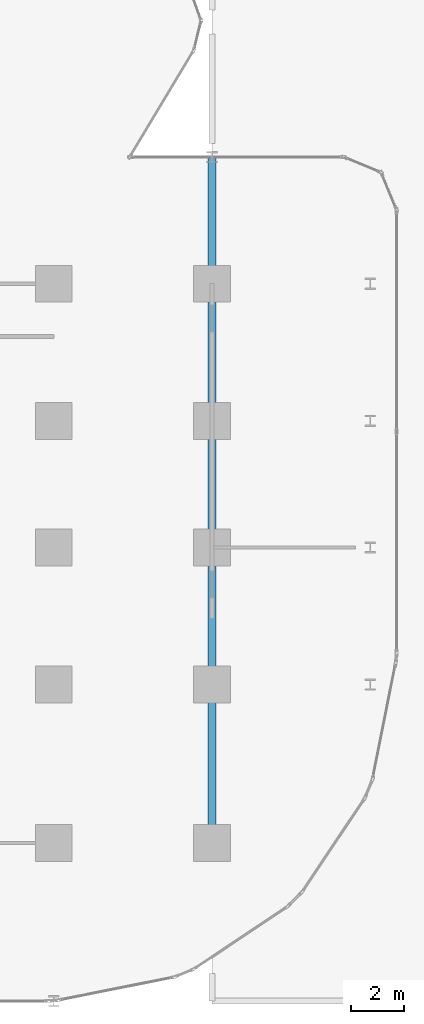
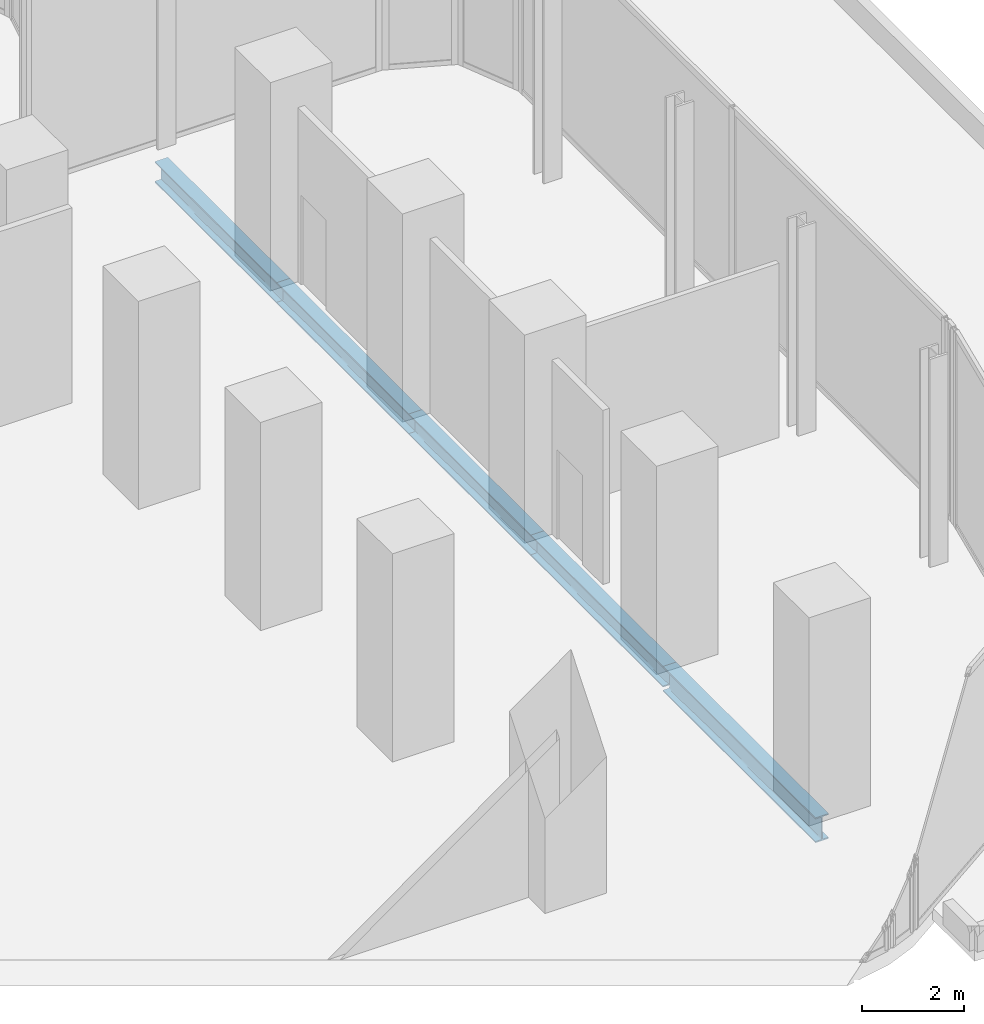
# One storey, part 8 of 29: 5 beams.
"""IFC4 building model written with IfcOpenShell, lengths in metres."""

import ifcopenshell
import ifcopenshell.guid

model = None  # the IFC model being written
_history = None  # IfcOwnerHistory: only IFC2X3 demands one
_inside = {}  # id of a spatial element -> (the spatial element, [elements in it])
_under = {}  # id of a project, library or spatial element -> (it, [spatial elements below it])
_declared = {}  # id of a project -> (the project, [libraries it declares])
_typed = {}  # id of a type object -> (the type object, [elements of that type])
_made_of = {}  # id of a material, layer set ... -> (it, [elements and type objects made of it])


def new_model(schema):
    """Start an empty IFC model of exactly this schema.

    Asked for "IFC4X3", IfcOpenShell would pick the latest addendum, in which some entities
    have other attributes; the version numbers below select the first issue.
    IFC2X3 requires an IfcOwnerHistory on every rooted entity: one is made here for all.
    """
    global model, _history
    if schema == "IFC4X3":
        model = ifcopenshell.file(schema_version=(4, 3, 0, 0))
    else:
        model = ifcopenshell.file(schema=schema)
    _inside.clear()
    _under.clear()
    _declared.clear()
    _typed.clear()
    _made_of.clear()
    _history = None
    if model.schema == "IFC2X3":
        org = make("IfcOrganization", Name="unknown")
        user = make(
            "IfcPersonAndOrganization",
            ThePerson=make("IfcPerson", FamilyName="unknown"),
            TheOrganization=org,
        )
        app = make(
            "IfcApplication",
            ApplicationDeveloper=org,
            Version="unknown",
            ApplicationFullName="unknown",
            ApplicationIdentifier="unknown",
        )
        _history = make(
            "IfcOwnerHistory",
            OwningUser=user,
            OwningApplication=app,
            ChangeAction="ADDED",
            CreationDate=0,
        )
    return model


def make(cls, **values):
    """One entity of the class cls with the attributes given. An attribute that is None is left unset."""
    return model.create_entity(
        cls, **{name: value for name, value in values.items() if value is not None}
    )


def rooted(cls, **values):
    """An entity with a GlobalId (a new one), such as an element, a storey or a relation."""
    return make(cls, GlobalId=ifcopenshell.guid.new(), OwnerHistory=_history, **values)


def si_unit(unit_type, name, prefix=None):
    """IfcSIUnit, for example si_unit("LENGTHUNIT", "METRE", prefix="MILLI")."""
    return make("IfcSIUnit", UnitType=unit_type, Prefix=prefix, Name=name)


def assignment(units):
    """IfcUnitAssignment: the units of a project."""
    return None if units is None else make("IfcUnitAssignment", Units=units)


def point(xyz):
    """IfcCartesianPoint."""
    return None if xyz is None else make("IfcCartesianPoint", Coordinates=xyz)


def direction(xyz):
    """IfcDirection."""
    return None if xyz is None else make("IfcDirection", DirectionRatios=xyz)


def frame(location, z_axis=None, x_axis=None):
    """IfcAxis2Placement3D, a coordinate frame: its origin and axes. An axis left out is left unset."""
    return make(
        "IfcAxis2Placement3D",
        Location=point(location),
        Axis=direction(z_axis),
        RefDirection=direction(x_axis),
    )


def frame_2d(location, x_axis=None):
    """IfcAxis2Placement2D, a coordinate frame in the plane: its origin and x axis."""
    return make(
        "IfcAxis2Placement2D", Location=point(location), RefDirection=direction(x_axis)
    )


def origin():
    """The frame at (0, 0, 0) with its axes left unset."""
    return frame((0.0, 0.0, 0.0))


def origin_2d():
    """The frame at (0, 0) in the plane with its x axis left unset."""
    return frame_2d((0.0, 0.0))


def place(relative_to, where):
    """IfcLocalPlacement: puts the frame where relative to a parent placement (None: the world)."""
    return make(
        "IfcLocalPlacement", PlacementRelTo=relative_to, RelativePlacement=where
    )


def context(
    kind, dimensions, precision=None, world=None, true_north=None, identifier=None
):
    """IfcGeometricRepresentationContext, for example the 3D "Model" context."""
    return make(
        "IfcGeometricRepresentationContext",
        ContextIdentifier=identifier,
        ContextType=kind,
        CoordinateSpaceDimension=dimensions,
        Precision=precision,
        WorldCoordinateSystem=world,
        TrueNorth=true_north,
    )


def subcontext(parent, identifier, kind, view, scale=None):
    """IfcGeometricRepresentationSubContext, for example "Body" below "Model"."""
    return make(
        "IfcGeometricRepresentationSubContext",
        ContextIdentifier=identifier,
        ContextType=kind,
        ParentContext=parent,
        TargetScale=scale,
        TargetView=view,
    )


def project(units=None, contexts=None):
    """IfcProject with its units and contexts."""
    return rooted(
        "IfcProject",
        Name="project",
        RepresentationContexts=contexts,
        UnitsInContext=assignment(units),
    )


def spatial(cls, under=None, at=None, **own):
    """A site, building, storey or space (cls), placed at a placement, below another one or the project."""
    s = rooted(cls, ObjectPlacement=at, **own)
    if under is not None:
        _under.setdefault(under.id(), (under, []))[1].append(s)
    return s


def profile(cls, at=None, kind="AREA", **sizes):
    """A parametric profile (cls). Its sizes go by their IFC names, for example OverallWidth=200.0."""
    return make(cls, ProfileType=kind, Position=at, **sizes)


def i_section(**sizes):
    """IfcIShapeProfileDef."""
    return profile("IfcIShapeProfileDef", **sizes)


def extrude(swept, where, along, depth):
    """IfcExtrudedAreaSolid: the profile swept, set in the frame where, extruded along a direction by depth."""
    return make(
        "IfcExtrudedAreaSolid",
        SweptArea=swept,
        Position=where,
        ExtrudedDirection=direction(along),
        Depth=depth,
    )


def shape(context_of_items, identifier, shape_type, items):
    """IfcShapeRepresentation: the items that make up one representation, for example the "Body"."""
    return make(
        "IfcShapeRepresentation",
        ContextOfItems=context_of_items,
        RepresentationIdentifier=identifier,
        RepresentationType=shape_type,
        Items=items,
    )


def material(Name=None, Category=None):
    """IfcMaterial."""
    return make("IfcMaterial", Name=Name, Category=Category)


def material_profile(
    of_material, cross_section, Name=None, Category=None, Priority=None
):
    """IfcMaterialProfile: a cross section and its material."""
    return make(
        "IfcMaterialProfile",
        Name=Name,
        Material=of_material,
        Profile=cross_section,
        Priority=Priority,
        Category=Category,
    )


def profile_set(profiles, Name=None, composite=None):
    """IfcMaterialProfileSet."""
    return make(
        "IfcMaterialProfileSet",
        Name=Name,
        MaterialProfiles=profiles,
        CompositeProfile=composite,
    )


def made_of(thing, what):
    """Note that an element or type object is made of a material, layer set ...; save() writes the relation."""
    if what is not None:
        _made_of.setdefault(what.id(), (what, []))[1].append(thing)
    return thing


def type_object(cls, material=None, **own):
    """A type object (cls), such as IfcWallType, which elements share."""
    return made_of(rooted(cls, **own), material)


def element(
    cls,
    number,
    at=None,
    inside=None,
    cuts=None,
    type_object=None,
    material=None,
    context=None,
    identifier="Body",
    shape_type=None,
    held_by="IfcProductDefinitionShape",
    body=None,
    shapes=None,
    **own,
):
    """One element of the class cls, such as IfcWall. Its Tag is "e" and its number.

    at: its placement. inside: the storey or other place that contains it. cuts: it is an
    opening in that element (IfcRelVoidsElement). A single representation is given by context,
    identifier, shape_type and body (its items); several are given by shapes. held_by: the class
    of the entity that holds the representations. save() writes the other relations.
    """
    e = rooted(cls, Tag="e%d" % number, ObjectPlacement=at, **own)
    if body is not None:
        shapes = [shape(context, identifier, shape_type, body)]
    if shapes is not None:
        e.Representation = make(held_by, Representations=shapes)
    if inside is not None:
        _inside.setdefault(inside.id(), (inside, []))[1].append(e)
    if cuts is not None:
        rooted(
            "IfcRelVoidsElement", RelatingBuildingElement=cuts, RelatedOpeningElement=e
        )
    if type_object is not None:
        _typed.setdefault(type_object.id(), (type_object, []))[1].append(e)
    return made_of(e, material)


def aggregate(whole, parts):
    """IfcRelAggregates: a whole, such as a stair, and the parts it consists of."""
    return rooted("IfcRelAggregates", RelatingObject=whole, RelatedObjects=parts)


def save(model, path):
    """Write the relations noted so far, then the file.

    IfcRelAggregates (storeys below a building ...), IfcRelContainedInSpatialStructure (elements
    in a storey), IfcRelDefinesByType, IfcRelAssociatesMaterial and IfcRelDeclares: one each for
    every whole, place, type object, material and project.
    """
    for whole, parts in _under.values():
        aggregate(whole, parts)
    for where, things in _inside.values():
        rooted(
            "IfcRelContainedInSpatialStructure",
            RelatedElements=things,
            RelatingStructure=where,
        )
    for kind, things in _typed.values():
        rooted("IfcRelDefinesByType", RelatedObjects=things, RelatingType=kind)
    for what, things in _made_of.values():
        rooted("IfcRelAssociatesMaterial", RelatedObjects=things, RelatingMaterial=what)
    for by, libraries in _declared.values():
        rooted("IfcRelDeclares", RelatingContext=by, RelatedDefinitions=libraries)
    model.write(path)


model = new_model("IFC4")

# Units and contexts
model_context = context("Model", 3, precision=1e-05, world=origin(), true_north=direction((0.0, 1.0)))
body_context = subcontext(model_context, "Body", "Model", "MODEL_VIEW")
ifc_project = project(units=[si_unit("LENGTHUNIT", "METRE"), si_unit("AREAUNIT", "SQUARE_METRE"), si_unit("VOLUMEUNIT", "CUBIC_METRE"), si_unit("PLANEANGLEUNIT", "RADIAN"), si_unit("MASSUNIT", "GRAM", prefix="KILO")], contexts=[model_context])

# Site, building, storey
site_placement = place(None, origin())
site = spatial("IfcSite", under=ifc_project, at=site_placement, CompositionType="ELEMENT")
building_placement = place(site_placement, origin())
building = spatial("IfcBuilding", under=site, at=building_placement, Name="Keshet Zoharim Tower", CompositionType="ELEMENT")
storey_placement = place(building_placement, frame((0.0, 0.0, 19.0)))
storey = spatial("IfcBuildingStorey", under=building, at=storey_placement, Name="L03", CompositionType="ELEMENT", Elevation=19.0)

# Beams
ifc_material = material(Name="Steel S355", Category="steel")
ifc_material_profile_1 = material_profile(ifc_material, i_section(OverallWidth=0.300048828125, OverallDepth=0.60009765625, WebThickness=0.015380859375, FlangeThickness=0.030029296875, FilletRadius=0.027099609375, at=origin_2d()), Name="HEB600")
ifc_profile_set_1 = profile_set([ifc_material_profile_1], Name="Steel S355")
beam_type_1 = type_object("IfcBeamType", Name="BM-LNG-HB600", PredefinedType="BEAM", material=ifc_profile_set_1)
beam_1_placement = place(storey_placement, frame((63.0, 6.699951171875, -0.719970703125), z_axis=(0.0, 1.0, 0.0), x_axis=(-1.0, 0.0, 0.0)))
element("IfcBeam", 1, at=beam_1_placement, inside=storey, type_object=beam_type_1, Name="L03 Primary Girder Y-010", PredefinedType="BEAM", context=body_context, shape_type="SweptSolid", body=[
    extrude(i_section(OverallWidth=0.300048828125, OverallDepth=0.60009765625, WebThickness=0.015380859375, FlangeThickness=0.030029296875, FilletRadius=0.027099609375, at=origin_2d()), origin(), (0.0, 0.0, 1.0), 6.0),
])
ifc_material_profile_2 = material_profile(ifc_material, i_section(OverallWidth=0.300048828125, OverallDepth=0.5, WebThickness=0.014404296875, FlangeThickness=0.028076171875, FilletRadius=0.027099609375, at=origin_2d()), Name="HEB500")
ifc_profile_set_2 = profile_set([ifc_material_profile_2], Name="Steel S355")
beam_type_2 = type_object("IfcBeamType", Name="BM-WEB-HB500", PredefinedType="BEAM", material=ifc_profile_set_2)
beam_2_placement = place(storey_placement, frame((63.0, 12.699951171875, -0.669921875), z_axis=(0.0, 1.0, 0.0), x_axis=(-1.0, 0.0, 0.0)))
element("IfcBeam", 2, at=beam_2_placement, inside=storey, type_object=beam_type_2, Name="L03 Primary Girder Y-011", PredefinedType="BEAM", context=body_context, shape_type="SweptSolid", body=[
    extrude(i_section(OverallWidth=0.300048828125, OverallDepth=0.5, WebThickness=0.014404296875, FlangeThickness=0.028076171875, FilletRadius=0.027099609375, at=origin_2d()), origin(), (0.0, 0.0, 1.0), 5.199951171875),
])
beam_3_placement = place(storey_placement, frame((63.0, 17.89990234375, -0.669921875), z_axis=(0.0, 1.0, 0.0), x_axis=(-1.0, 0.0, 0.0)))
element("IfcBeam", 3, at=beam_3_placement, inside=storey, type_object=beam_type_2, Name="L03 Primary Girder Y-012", PredefinedType="BEAM", context=body_context, shape_type="SweptSolid", body=[
    extrude(i_section(OverallWidth=0.300048828125, OverallDepth=0.5, WebThickness=0.014404296875, FlangeThickness=0.028076171875, FilletRadius=0.027099609375, at=origin_2d()), origin(), (0.0, 0.0, 1.0), 4.800048828125),
])
beam_4_placement = place(storey_placement, frame((63.0, 22.699951171875, -0.669921875), z_axis=(0.0, 1.0, 0.0), x_axis=(-1.0, 0.0, 0.0)))
element("IfcBeam", 4, at=beam_4_placement, inside=storey, type_object=beam_type_2, Name="L03 Primary Girder Y-013", PredefinedType="BEAM", context=body_context, shape_type="SweptSolid", body=[
    extrude(i_section(OverallWidth=0.300048828125, OverallDepth=0.5, WebThickness=0.014404296875, FlangeThickness=0.028076171875, FilletRadius=0.027099609375, at=origin_2d()), origin(), (0.0, 0.0, 1.0), 5.199951171875),
])
beam_5_placement = place(storey_placement, frame((63.0, 27.89990234375, -0.669921875), z_axis=(0.0, 1.0, 0.0), x_axis=(-1.0, 0.0, 0.0)))
element("IfcBeam", 5, at=beam_5_placement, inside=storey, type_object=beam_type_2, Name="L03 Primary Girder Y-014", PredefinedType="BEAM", context=body_context, shape_type="SweptSolid", body=[
    extrude(i_section(OverallWidth=0.300048828125, OverallDepth=0.5, WebThickness=0.014404296875, FlangeThickness=0.028076171875, FilletRadius=0.027099609375, at=origin_2d()), origin(), (0.0, 0.0, 1.0), 4.800048828125),
])

save(model, "model.ifc")
